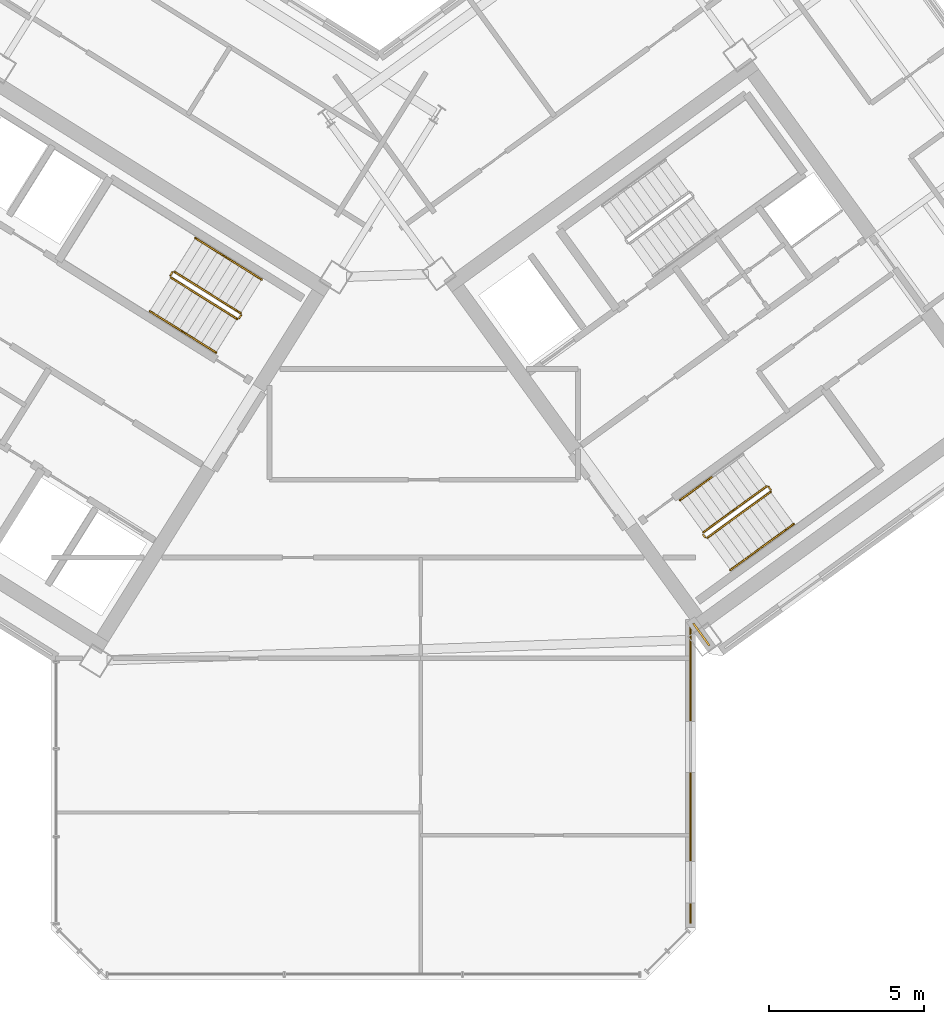
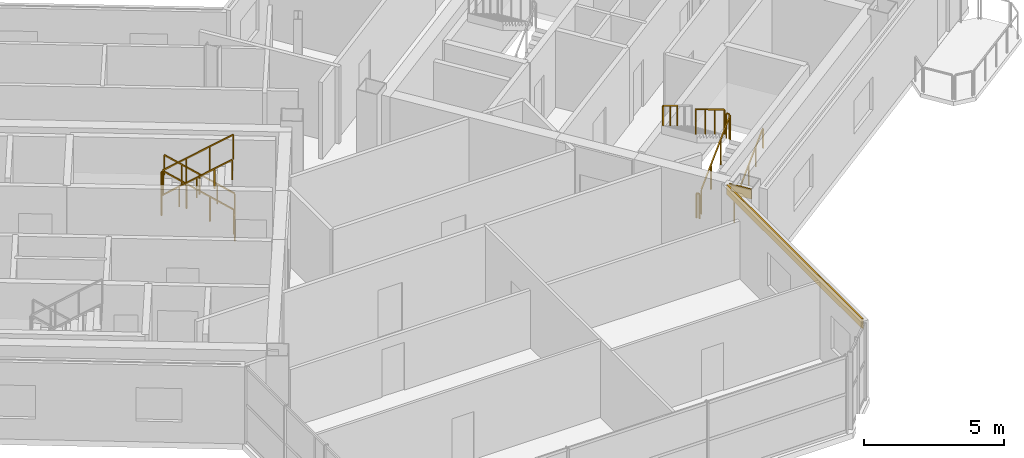
# One storey, part 19 of 21: 15 railings, 2 coverings.
"""IFC4 building model written with IfcOpenShell, lengths in metres."""

from ifc_helpers import new_model, si_unit, direction, frame, origin, origin_2d, place, context, subcontext, project, spatial, rectangle, extrude, source, transform, mapped, material, layer, layer_set, type_object, element, save


model = new_model("IFC4")

# Units and contexts
model_context = context("Model", 3, precision=1e-05, world=origin(), true_north=direction((0.0, 1.0)))
body_context = subcontext(model_context, "Body", "Model", "MODEL_VIEW")
ifc_project = project(units=[si_unit("LENGTHUNIT", "METRE"), si_unit("AREAUNIT", "SQUARE_METRE"), si_unit("VOLUMEUNIT", "CUBIC_METRE"), si_unit("PLANEANGLEUNIT", "RADIAN"), si_unit("MASSUNIT", "GRAM", prefix="KILO")], contexts=[model_context])

# Site, building, storey
site_placement = place(None, origin())
site = spatial("IfcSite", under=ifc_project, at=site_placement, CompositionType="ELEMENT")
building_placement = place(site_placement, origin())
building = spatial("IfcBuilding", under=site, at=building_placement, Name="Tlacorven Tower", CompositionType="ELEMENT")
storey_placement = place(building_placement, frame((0.0, 0.0, 207.60009765625)))
storey = spatial("IfcBuildingStorey", under=building, at=storey_placement, Name="L52", CompositionType="ELEMENT", Elevation=207.60009765625)

# Coverings
ifc_material_1 = material(Name="Precast concrete C45/55", Category="concrete")
ifc_layer = layer(ifc_material_1, 0.06005859375)
ifc_layer_set = layer_set([ifc_layer], Name="Precast concrete C45/55")
covering_type = type_object("IfcCoveringType", Name="CV-CLD-TERC", PredefinedType="CLADDING", material=ifc_layer_set)
shared_shape_1 = source(origin(), body_context, "Body", "SweptSolid", [
    extrude(rectangle(XDim=9.647705078125, YDim=0.06005859375, at=origin_2d()), origin(), (0.0, 0.0, 1.0), 0.419921875),
])
covering_1_placement = place(storey_placement, frame((52.239990234375, 8.440185546875, 2.929931640625), z_axis=(0.0, 0.0, 1.0), x_axis=(0.0, -1.0, 0.0)))
element("IfcCovering", 1, at=covering_1_placement, inside=storey, type_object=covering_type, Name="L52 Masonry-Frame Spandrel Cladding 8", PredefinedType="CLADDING", context=body_context, shape_type="MappedRepresentation", body=[
    mapped(shared_shape_1, transform((0.0, 0.0, 0.0), scale=1.0)),
])
shared_shape_2 = source(origin(), body_context, "Body", "SweptSolid", [
    extrude(rectangle(XDim=0.885498046875, YDim=0.06005859375, at=origin_2d()), origin(), (0.0, 0.0, 1.0), 0.419921875),
])
covering_2_placement = place(storey_placement, frame((52.58837890625, 12.934326171875, 2.929931640625), z_axis=(0.0, 0.0, 1.0), x_axis=(-0.587784043831, 0.809017872372, 0.0)))
element("IfcCovering", 2, at=covering_2_placement, inside=storey, type_object=covering_type, Name="L52 Masonry-Frame Spandrel Cladding 7", PredefinedType="CLADDING", context=body_context, shape_type="MappedRepresentation", body=[
    mapped(shared_shape_2, transform((0.0, 0.0, 0.0), scale=1.0)),
])

# Railings
ifc_material_2 = material(Name="Aluminium and painted steel balustrade", Category="steel")
railing_type_1 = type_object("IfcRailingType", Name="RL-GRD-1100", PredefinedType="GUARDRAIL", material=ifc_material_2)
shared_shape_3 = source(origin(), body_context, "Body", "SweptSolid", [
    extrude(rectangle(XDim=0.048095703125, YDim=0.048095703125, at=origin_2d()), frame((0.0, 0.0, 1.076171875), z_axis=(-0.530546985787, -0.847655529016, 0.0), x_axis=(0.847655529016, -0.530546985787, 0.0)), (0.0, 0.0, 1.0), 0.1201171875),
    extrude(rectangle(XDim=0.0419921875, YDim=0.0419921875, at=origin_2d()), origin(), (0.0, 0.0, 1.0), 1.052001953125),
    extrude(rectangle(XDim=0.0419921875, YDim=0.0419921875, at=origin_2d()), frame((-0.063720703125, -0.101806640625, 0.0)), (0.0, 0.0, 1.0), 1.052001953125),
])
railing_1_placement = place(storey_placement, frame((37.728271484375, 23.24072265625, 0.0)))
element("IfcRailing", 3, at=railing_1_placement, inside=storey, type_object=railing_type_1, Name="L52 ST-W2 stair guard 4", PredefinedType="GUARDRAIL", context=body_context, shape_type="MappedRepresentation", body=[
    mapped(shared_shape_3, transform((0.0, 0.0, 0.0), scale=1.0)),
])
railing_type_2 = type_object("IfcRailingType", Name="RL-HND-0900", PredefinedType="HANDRAIL", material=ifc_material_2)
shared_shape_4 = source(origin(), body_context, "Body", "SweptSolid", [
    extrude(rectangle(XDim=0.048095703125, YDim=0.048095703125, at=origin_2d()), frame((0.0, 0.0, 0.8759765625), z_axis=(-0.713359751793, 0.4457479829, 0.540764828981), x_axis=(-0.529911857636, -0.848052724267, 0.0)), (0.0, 0.0, 1.0), 1.498046875),
    extrude(rectangle(XDim=0.0419921875, YDim=0.0419921875, at=origin_2d()), origin(), (0.0, 0.0, 1.0), 0.851806640625),
    extrude(rectangle(XDim=0.0419921875, YDim=0.0419921875, at=origin_2d()), frame((-0.5341796875, 0.333984375, 0.405029296875)), (0.0, 0.0, 1.0), 0.851806640625),
    extrude(rectangle(XDim=0.0419921875, YDim=0.0419921875, at=origin_2d()), frame((-1.068603515625, 0.667724609375, 0.81005859375)), (0.0, 0.0, 1.0), 0.851806640625),
])
railing_2_placement = place(storey_placement, frame((38.390625, 24.39501953125, 0.179931640625)))
element("IfcRailing", 4, at=railing_2_placement, inside=storey, type_object=railing_type_2, Name="L52 ST-W2 stair handrail 1", PredefinedType="HANDRAIL", context=body_context, shape_type="MappedRepresentation", body=[
    mapped(shared_shape_4, transform((0.0, 0.0, 0.0), scale=1.0)),
])
shared_shape_5 = source(origin(), body_context, "Body", "SweptSolid", [
    extrude(rectangle(XDim=0.048095703125, YDim=0.048095703125, at=origin_2d()), frame((0.0, 0.0, 0.8759765625), z_axis=(0.713359751793, -0.4457479829, 0.540764828981), x_axis=(0.529911857636, 0.848052724267, 0.0)), (0.0, 0.0, 1.0), 1.498046875),
    extrude(rectangle(XDim=0.0419921875, YDim=0.0419921875, at=origin_2d()), origin(), (0.0, 0.0, 1.0), 0.851806640625),
    extrude(rectangle(XDim=0.0419921875, YDim=0.0419921875, at=origin_2d()), frame((0.5341796875, -0.333984375, 0.405029296875)), (0.0, 0.0, 1.0), 0.851806640625),
    extrude(rectangle(XDim=0.0419921875, YDim=0.0419921875, at=origin_2d()), frame((1.068603515625, -0.667724609375, 0.81005859375)), (0.0, 0.0, 1.0), 0.851806640625),
])
railing_3_placement = place(storey_placement, frame((35.848876953125, 22.705078125, 2.789794921875)))
element("IfcRailing", 5, at=railing_3_placement, inside=storey, type_object=railing_type_2, Name="L52 ST-W2 stair handrail 4", PredefinedType="HANDRAIL", context=body_context, shape_type="MappedRepresentation", body=[
    mapped(shared_shape_5, transform((0.0, 0.0, 0.0), scale=1.0)),
])
shared_shape_6 = source(origin(), body_context, "Body", "SweptSolid", [
    extrude(rectangle(XDim=0.048095703125, YDim=0.048095703125, at=origin_2d()), frame((0.0, 0.0, 1.076171875), z_axis=(-0.713351164325, 0.445793541512, 0.540738601085), x_axis=(-0.529955395941, -0.84802551749, 0.0)), (0.0, 0.0, 1.0), 2.99560546875),
    extrude(rectangle(XDim=0.0419921875, YDim=0.0419921875, at=origin_2d()), origin(), (0.0, 0.0, 1.0), 1.052001953125),
    extrude(rectangle(XDim=0.0419921875, YDim=0.0419921875, at=origin_2d()), frame((-0.71240234375, 0.445068359375, 0.5400390625)), (0.0, 0.0, 1.0), 1.052001953125),
    extrude(rectangle(XDim=0.0419921875, YDim=0.0419921875, at=origin_2d()), frame((-1.424560546875, 0.890380859375, 1.079833984375)), (0.0, 0.0, 1.0), 1.052001953125),
    extrude(rectangle(XDim=0.0419921875, YDim=0.0419921875, at=origin_2d()), frame((-2.136962890625, 1.33544921875, 1.619873046875)), (0.0, 0.0, 1.0), 1.052001953125),
])
railing_4_placement = place(storey_placement, frame((37.712158203125, 23.3095703125, 0.179931640625)))
element("IfcRailing", 6, at=railing_4_placement, inside=storey, type_object=railing_type_1, Name="L52 ST-W2 stair guard 1", PredefinedType="GUARDRAIL", context=body_context, shape_type="MappedRepresentation", body=[
    mapped(shared_shape_6, transform((0.0, 0.0, 0.0), scale=1.0)),
])
shared_shape_7 = source(origin(), body_context, "Body", "SweptSolid", [
    extrude(rectangle(XDim=0.048095703125, YDim=0.048095703125, at=origin_2d()), frame((0.0, 0.0, 0.8759765625), z_axis=(-0.713422621445, 0.445787267455, 0.540649494022), x_axis=(-0.529911857636, -0.848052724267, 0.0)), (0.0, 0.0, 1.0), 1.497802734375),
    extrude(rectangle(XDim=0.0419921875, YDim=0.0419921875, at=origin_2d()), origin(), (0.0, 0.0, 1.0), 0.851806640625),
    extrude(rectangle(XDim=0.0419921875, YDim=0.0419921875, at=origin_2d()), frame((-0.5341796875, 0.333984375, 0.40478515625)), (0.0, 0.0, 1.0), 0.851806640625),
    extrude(rectangle(XDim=0.0419921875, YDim=0.0419921875, at=origin_2d()), frame((-1.068603515625, 0.667724609375, 0.809814453125)), (0.0, 0.0, 1.0), 0.851806640625),
])
railing_5_placement = place(storey_placement, frame((37.322021484375, 25.062744140625, 0.989990234375)))
element("IfcRailing", 7, at=railing_5_placement, inside=storey, type_object=railing_type_2, Name="L52 ST-W2 stair handrail 2", PredefinedType="HANDRAIL", context=body_context, shape_type="MappedRepresentation", body=[
    mapped(shared_shape_7, transform((0.0, 0.0, 0.0), scale=1.0)),
])
shared_shape_8 = source(origin(), body_context, "Body", "SweptSolid", [
    extrude(rectangle(XDim=0.048095703125, YDim=0.048095703125, at=origin_2d()), frame((0.0, 0.0, 0.8759765625), z_axis=(0.713422621445, -0.445787267455, 0.540649494022), x_axis=(0.529911857636, 0.848052724267, 0.0)), (0.0, 0.0, 1.0), 1.497802734375),
    extrude(rectangle(XDim=0.0419921875, YDim=0.0419921875, at=origin_2d()), origin(), (0.0, 0.0, 1.0), 0.851806640625),
    extrude(rectangle(XDim=0.0419921875, YDim=0.0419921875, at=origin_2d()), frame((0.5341796875, -0.333984375, 0.40478515625)), (0.0, 0.0, 1.0), 0.851806640625),
    extrude(rectangle(XDim=0.0419921875, YDim=0.0419921875, at=origin_2d()), frame((1.068603515625, -0.667724609375, 0.809814453125)), (0.0, 0.0, 1.0), 0.851806640625),
])
railing_6_placement = place(storey_placement, frame((34.7802734375, 23.372802734375, 1.97998046875)))
element("IfcRailing", 8, at=railing_6_placement, inside=storey, type_object=railing_type_2, Name="L52 ST-W2 stair handrail 3", PredefinedType="HANDRAIL", context=body_context, shape_type="MappedRepresentation", body=[
    mapped(shared_shape_8, transform((0.0, 0.0, 0.0), scale=1.0)),
])
shared_shape_9 = source(origin(), body_context, "Body", "SweptSolid", [
    extrude(rectangle(XDim=0.048095703125, YDim=0.048095703125, at=origin_2d()), frame((0.0, 0.0, 1.076171875), z_axis=(-0.531462422766, -0.847081869236, 0.0), x_axis=(0.847081869236, -0.531462422766, 0.0)), (0.0, 0.0, 1.0), 0.119873046875),
    extrude(rectangle(XDim=0.0419921875, YDim=0.0419921875, at=origin_2d()), origin(), (0.0, 0.0, 1.0), 1.052001953125),
    extrude(rectangle(XDim=0.0419921875, YDim=0.0419921875, at=origin_2d()), frame((-0.063720703125, -0.1015625, 0.0)), (0.0, 0.0, 1.0), 1.052001953125),
])
railing_7_placement = place(storey_placement, frame((35.50634765625, 24.62890625, 1.7998046875)))
element("IfcRailing", 9, at=railing_7_placement, inside=storey, type_object=railing_type_1, Name="L52 ST-W2 stair guard 2", PredefinedType="GUARDRAIL", context=body_context, shape_type="MappedRepresentation", body=[
    mapped(shared_shape_9, transform((0.0, 0.0, 0.0), scale=1.0)),
])
shared_shape_10 = source(origin(), body_context, "Body", "SweptSolid", [
    extrude(rectangle(XDim=0.048095703125, YDim=0.048095703125, at=origin_2d()), frame((0.0, 0.0, 1.076171875), z_axis=(0.713417101326, -0.445702322042, 0.540726806865), x_axis=(0.52984217967, 0.848096259066, 0.0)), (0.0, 0.0, 1.0), 2.995849609375),
    extrude(rectangle(XDim=0.0419921875, YDim=0.0419921875, at=origin_2d()), origin(), (0.0, 0.0, 1.0), 1.052001953125),
    extrude(rectangle(XDim=0.0419921875, YDim=0.0419921875, at=origin_2d()), frame((0.71240234375, -0.445068359375, 0.5400390625)), (0.0, 0.0, 1.0), 1.052001953125),
    extrude(rectangle(XDim=0.0419921875, YDim=0.0419921875, at=origin_2d()), frame((1.4248046875, -0.89013671875, 1.079833984375)), (0.0, 0.0, 1.0), 1.052001953125),
    extrude(rectangle(XDim=0.0419921875, YDim=0.0419921875, at=origin_2d()), frame((2.13720703125, -1.335205078125, 1.619873046875)), (0.0, 0.0, 1.0), 1.052001953125),
])
railing_8_placement = place(storey_placement, frame((35.45849609375, 24.458251953125, 1.97998046875)))
element("IfcRailing", 10, at=railing_8_placement, inside=storey, type_object=railing_type_1, Name="L52 ST-W2 stair guard 3", PredefinedType="GUARDRAIL", context=body_context, shape_type="MappedRepresentation", body=[
    mapped(shared_shape_10, transform((0.0, 0.0, 0.0), scale=1.0)),
])
shared_shape_11 = source(origin(), body_context, "Body", "SweptSolid", [
    extrude(rectangle(XDim=0.048095703125, YDim=0.048095703125, at=origin_2d()), frame((0.0, 0.0, 1.076171875), z_axis=(-0.587567097037, 0.809175448515, 0.0), x_axis=(-0.809175448515, -0.587567097037, 0.0)), (0.0, 0.0, 1.0), 0.1201171875),
    extrude(rectangle(XDim=0.0419921875, YDim=0.0419921875, at=origin_2d()), origin(), (0.0, 0.0, 1.0), 1.052001953125),
    extrude(rectangle(XDim=0.0419921875, YDim=0.0419921875, at=origin_2d()), frame((-0.070556640625, 0.09716796875, 0.0)), (0.0, 0.0, 1.0), 1.052001953125),
])
for number, where, name in (
    (11, (54.8310546875, 17.605712890625, 1.7998046875), "L52 ST-E2 stair guard 2"),
    (12, (52.71142578125, 16.065673828125, 0.0), "L52 ST-E2 stair guard 4"),
):
    element("IfcRailing", number, at=place(storey_placement, frame(where)), inside=storey, type_object=railing_type_1, Name=name, PredefinedType="GUARDRAIL", context=body_context, shape_type="MappedRepresentation", body=[
        mapped(shared_shape_11, transform((0.0, 0.0, 0.0), scale=1.0)),
    ])
shared_shape_12 = source(origin(), body_context, "Body", "SweptSolid", [
    extrude(rectangle(XDim=0.048095703125, YDim=0.048095703125, at=origin_2d()), frame((0.0, 0.0, 0.8759765625), z_axis=(-0.680461216233, -0.494495647917, 0.540783309093), x_axis=(0.587872112667, -0.808953879494, 0.0)), (0.0, 0.0, 1.0), 1.498046875),
    extrude(rectangle(XDim=0.0419921875, YDim=0.0419921875, at=origin_2d()), origin(), (0.0, 0.0, 1.0), 0.851806640625),
    extrude(rectangle(XDim=0.0419921875, YDim=0.0419921875, at=origin_2d()), frame((-0.509765625, -0.370361328125, 0.405029296875)), (0.0, 0.0, 1.0), 0.851806640625),
    extrude(rectangle(XDim=0.0419921875, YDim=0.0419921875, at=origin_2d()), frame((-1.019287109375, -0.74072265625, 0.81005859375)), (0.0, 0.0, 1.0), 0.851806640625),
])
railing_9_placement = place(storey_placement, frame((52.9189453125, 18.0087890625, 2.789794921875)))
element("IfcRailing", 13, at=railing_9_placement, inside=storey, type_object=railing_type_2, Name="L52 ST-E2 stair handrail 4", PredefinedType="HANDRAIL", context=body_context, shape_type="MappedRepresentation", body=[
    mapped(shared_shape_12, transform((0.0, 0.0, 0.0), scale=1.0)),
])
shared_shape_13 = source(origin(), body_context, "Body", "SweptSolid", [
    extrude(rectangle(XDim=0.048095703125, YDim=0.048095703125, at=origin_2d()), frame((0.0, 0.0, 0.8759765625), z_axis=(0.680576044605, 0.494416082224, 0.54071155448), x_axis=(-0.587745292299, 0.809046025502, 0.0)), (0.0, 0.0, 1.0), 1.497802734375),
    extrude(rectangle(XDim=0.0419921875, YDim=0.0419921875, at=origin_2d()), origin(), (0.0, 0.0, 1.0), 0.851806640625),
    extrude(rectangle(XDim=0.0419921875, YDim=0.0419921875, at=origin_2d()), frame((0.509765625, 0.3701171875, 0.40478515625)), (0.0, 0.0, 1.0), 0.851806640625),
    extrude(rectangle(XDim=0.0419921875, YDim=0.0419921875, at=origin_2d()), frame((1.019287109375, 0.740478515625, 0.809814453125)), (0.0, 0.0, 1.0), 0.851806640625),
])
railing_10_placement = place(storey_placement, frame((54.552978515625, 15.759765625, 0.989990234375)))
element("IfcRailing", 14, at=railing_10_placement, inside=storey, type_object=railing_type_2, Name="L52 ST-E2 stair handrail 2", PredefinedType="HANDRAIL", context=body_context, shape_type="MappedRepresentation", body=[
    mapped(shared_shape_13, transform((0.0, 0.0, 0.0), scale=1.0)),
])
shared_shape_14 = source(origin(), body_context, "Body", "SweptSolid", [
    extrude(rectangle(XDim=0.048095703125, YDim=0.048095703125, at=origin_2d()), frame((0.0, 0.0, 0.8759765625), z_axis=(0.680461216233, 0.494495647917, 0.540783309093), x_axis=(-0.587872112667, 0.808953879494, 0.0)), (0.0, 0.0, 1.0), 1.498046875),
    extrude(rectangle(XDim=0.0419921875, YDim=0.0419921875, at=origin_2d()), origin(), (0.0, 0.0, 1.0), 0.851806640625),
    extrude(rectangle(XDim=0.0419921875, YDim=0.0419921875, at=origin_2d()), frame((0.509765625, 0.370361328125, 0.405029296875)), (0.0, 0.0, 1.0), 0.851806640625),
    extrude(rectangle(XDim=0.0419921875, YDim=0.0419921875, at=origin_2d()), frame((1.019287109375, 0.74072265625, 0.81005859375)), (0.0, 0.0, 1.0), 0.851806640625),
])
railing_11_placement = place(storey_placement, frame((53.53369140625, 15.01904296875, 0.179931640625)))
element("IfcRailing", 15, at=railing_11_placement, inside=storey, type_object=railing_type_2, Name="L52 ST-E2 stair handrail 1", PredefinedType="HANDRAIL", context=body_context, shape_type="MappedRepresentation", body=[
    mapped(shared_shape_14, transform((0.0, 0.0, 0.0), scale=1.0)),
])
shared_shape_15 = source(origin(), body_context, "Body", "SweptSolid", [
    extrude(rectangle(XDim=0.048095703125, YDim=0.048095703125, at=origin_2d()), frame((0.0, 0.0, 1.076171875), z_axis=(0.680562380517, 0.494428447203, 0.540717446381), x_axis=(-0.587762637553, 0.809033424462, 0.0)), (0.0, 0.0, 1.0), 2.995849609375),
    extrude(rectangle(XDim=0.0419921875, YDim=0.0419921875, at=origin_2d()), origin(), (0.0, 0.0, 1.0), 1.052001953125),
    extrude(rectangle(XDim=0.0419921875, YDim=0.0419921875, at=origin_2d()), frame((0.6796875, 0.49365234375, 0.5400390625)), (0.0, 0.0, 1.0), 1.052001953125),
    extrude(rectangle(XDim=0.0419921875, YDim=0.0419921875, at=origin_2d()), frame((1.359130859375, 0.987548828125, 1.079833984375)), (0.0, 0.0, 1.0), 1.052001953125),
    extrude(rectangle(XDim=0.0419921875, YDim=0.0419921875, at=origin_2d()), frame((2.038818359375, 1.481201171875, 1.619873046875)), (0.0, 0.0, 1.0), 1.052001953125),
])
railing_12_placement = place(storey_placement, frame((52.78125, 16.0546875, 0.179931640625)))
element("IfcRailing", 16, at=railing_12_placement, inside=storey, type_object=railing_type_1, Name="L52 ST-E2 stair guard 1", PredefinedType="GUARDRAIL", context=body_context, shape_type="MappedRepresentation", body=[
    mapped(shared_shape_15, transform((0.0, 0.0, 0.0), scale=1.0)),
])
shared_shape_16 = source(origin(), body_context, "Body", "SweptSolid", [
    extrude(rectangle(XDim=0.048095703125, YDim=0.048095703125, at=origin_2d()), frame((0.0, 0.0, 1.076171875), z_axis=(-0.680562380517, -0.494428447203, 0.540717446381), x_axis=(0.587762637553, -0.809033424462, 0.0)), (0.0, 0.0, 1.0), 2.995849609375),
    extrude(rectangle(XDim=0.0419921875, YDim=0.0419921875, at=origin_2d()), origin(), (0.0, 0.0, 1.0), 1.052001953125),
    extrude(rectangle(XDim=0.0419921875, YDim=0.0419921875, at=origin_2d()), frame((-0.6796875, -0.49365234375, 0.5400390625)), (0.0, 0.0, 1.0), 1.052001953125),
    extrude(rectangle(XDim=0.0419921875, YDim=0.0419921875, at=origin_2d()), frame((-1.359130859375, -0.987548828125, 1.079833984375)), (0.0, 0.0, 1.0), 1.052001953125),
    extrude(rectangle(XDim=0.0419921875, YDim=0.0419921875, at=origin_2d()), frame((-2.038818359375, -1.481201171875, 1.619873046875)), (0.0, 0.0, 1.0), 1.052001953125),
])
railing_13_placement = place(storey_placement, frame((54.690673828125, 17.7138671875, 1.97998046875)))
element("IfcRailing", 17, at=railing_13_placement, inside=storey, type_object=railing_type_1, Name="L52 ST-E2 stair guard 3", PredefinedType="GUARDRAIL", context=body_context, shape_type="MappedRepresentation", body=[
    mapped(shared_shape_16, transform((0.0, 0.0, 0.0), scale=1.0)),
])

save(model, "model.ifc")
